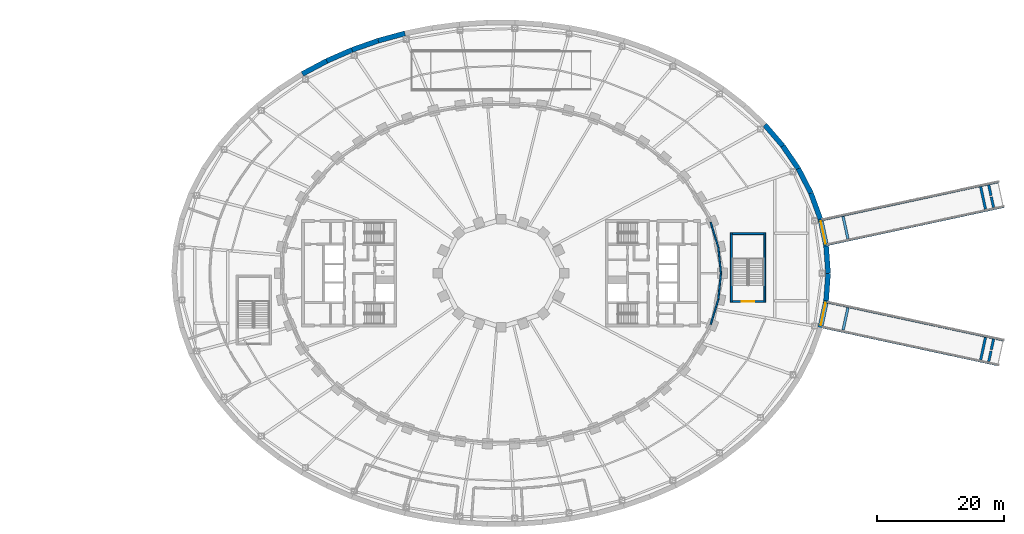
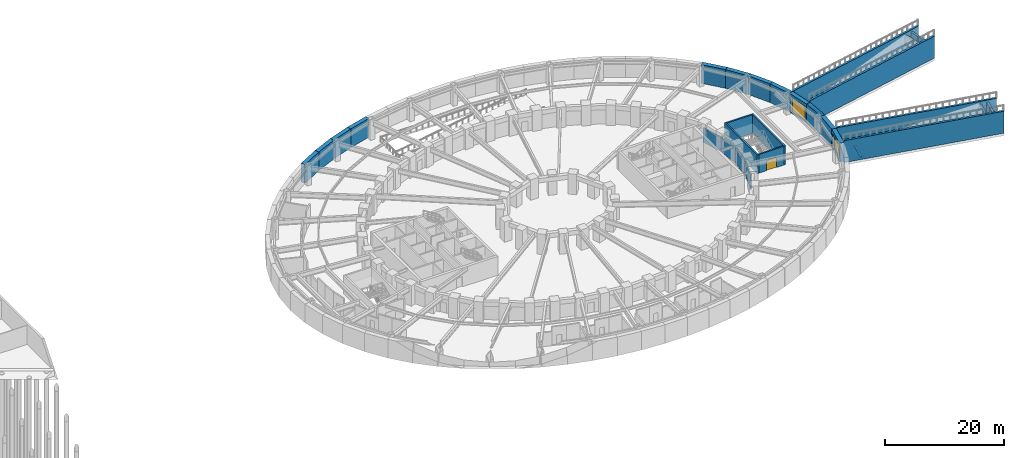
# One storey, part 21 of 32: 32 walls, 3 doors, 3 openings.
"""IFC4 building model written with IfcOpenShell, lengths in metres."""

from ifc_helpers import new_model, si_unit, direction, frame, frame_2d, origin, place, context, subcontext, project, spatial, rectangle, extrude, material, layer, layer_set, type_object, element, fill, save


model = new_model("IFC4")

# Units and contexts
model_context = context("Model", 3, precision=1e-05, world=origin(), true_north=direction((0.0, 1.0)))
body_context = subcontext(model_context, "Body", "Model", "MODEL_VIEW")
ifc_project = project(units=[si_unit("LENGTHUNIT", "METRE"), si_unit("AREAUNIT", "SQUARE_METRE"), si_unit("VOLUMEUNIT", "CUBIC_METRE"), si_unit("PLANEANGLEUNIT", "RADIAN"), si_unit("MASSUNIT", "GRAM", prefix="KILO")], contexts=[model_context])

# Site, building, storey
site_placement = place(None, origin())
site = spatial("IfcSite", under=ifc_project, at=site_placement, CompositionType="ELEMENT")
building_placement = place(site_placement, origin())
building = spatial("IfcBuilding", under=site, at=building_placement, Name="Noorbagh Ring Tower", CompositionType="ELEMENT")
storey_placement = place(building_placement, frame((0.0, 0.0, -4.199951171875)))
storey = spatial("IfcBuildingStorey", under=building, at=storey_placement, Name="B1", CompositionType="ELEMENT", Elevation=-4.199951171875)

# Walls
ifc_material_1 = material(Name="Concrete C60/75", Category="concrete")
ifc_layer_1 = layer(ifc_material_1, 0.300048828125)
ifc_layer_set_1 = layer_set([ifc_layer_1], Name="Concrete C60/75")
wall_type_1 = type_object("IfcWallType", Name="GND-STAIR-WALL", PredefinedType="SHEAR", material=ifc_layer_set_1)
for number, where, z_axis, x_axis, name in (
    (1, (36.35009765625, -4.60009765625, 0.0), (0.0, 0.0, 1.0), (0.0, 1.0, 0.0), "Exit stair ST-P2 wall"),
    (2, (41.60009765625, -4.60009765625, 0.0), (0.0, 0.0, 1.0), (0.0, 1.0, 0.0), "Exit stair ST-P2 wall"),
):
    element("IfcWall", number, at=place(storey_placement, frame(where, z_axis=z_axis, x_axis=x_axis)), inside=storey, type_object=wall_type_1, Name=name, PredefinedType="SHEAR", context=body_context, shape_type="SweptSolid", body=[
        extrude(rectangle(XDim=11.0, YDim=0.300048828125, at=frame_2d((5.5, 0.0))), origin(), (0.0, 0.0, 1.0), 3.849853515625),
    ])

# Wall, opening, door
wall_1_placement = place(storey_placement, frame((36.5, -4.449951171875, 0.0), z_axis=(0.0, 0.0, 1.0), x_axis=(1.0, 0.0, 0.0)))
wall_1 = element("IfcWall", 3, at=wall_1_placement, inside=storey, type_object=wall_type_1, Name="Exit stair ST-P2 wall", PredefinedType="SHEAR", context=body_context, shape_type="SweptSolid", body=[
    extrude(rectangle(XDim=4.949951171875, YDim=0.300048828125, at=frame_2d((2.47509765625, 0.0))), origin(), (0.0, 0.0, 1.0), 3.849853515625),
])
opening_1_placement = place(wall_1_placement, frame((1.47509765625, 0.0, 0.0)))
opening_1 = element("IfcOpeningElement", 4, at=opening_1_placement, cuts=wall_1, Name="Opening GD17", PredefinedType="OPENING", context=body_context, shape_type="SweptSolid", body=[
    extrude(rectangle(XDim=2.0, YDim=2.10009765625, at=frame_2d((1.0, 1.050048828125))), frame((0.0, 0.16015625, 0.0), z_axis=(0.0, -1.0, 0.0), x_axis=(1.0, 0.0, 0.0)), (0.0, 0.0, 1.0), 0.320068359375),
])
ifc_material_2 = material(Name="Steel", Category="steel")
door_type_1 = type_object("IfcDoorType", Name="GND-STAIR-DOOR", OperationType="DOUBLE_DOOR_SINGLE_SWING", PredefinedType="DOOR", material=ifc_material_2)
door_1_placement = place(opening_1_placement, origin())
door_1 = element("IfcDoor", 5, at=door_1_placement, inside=storey, type_object=door_type_1, Name="Exit stair ST-P2 door", OperationType="DOUBLE_DOOR_SINGLE_SWING", OverallHeight=2.10009765625, OverallWidth=2.0, PredefinedType="DOOR", context=body_context, shape_type="SweptSolid", body=[
    extrude(rectangle(XDim=2.0, YDim=2.10009765625, at=frame_2d((1.0, 1.050048828125))), frame((0.0, 0.02490234375, 0.0), z_axis=(0.0, -1.0, 0.0), x_axis=(1.0, 0.0, 0.0)), (0.0, 0.0, 1.0), 0.050048828125),
])
fill(opening_1, door_1)

# Walls
wall_2_placement = place(storey_placement, frame((36.5, 6.25, 0.0), z_axis=(0.0, 0.0, 1.0), x_axis=(1.0, 0.0, 0.0)))
element("IfcWall", 6, at=wall_2_placement, inside=storey, type_object=wall_type_1, Name="Exit stair ST-P2 wall", PredefinedType="SHEAR", context=body_context, shape_type="SweptSolid", body=[
    extrude(rectangle(XDim=4.949951171875, YDim=0.300048828125, at=frame_2d((2.47509765625, 0.0))), origin(), (0.0, 0.0, 1.0), 3.849853515625),
])
ifc_material_3 = material(Name="Concrete C40/50", Category="concrete")
ifc_layer_2 = layer(ifc_material_3, 0.39990234375)
ifc_layer_set_2 = layer_set([ifc_layer_2], Name="Concrete C40/50")
wall_type_2 = type_object("IfcWallType", Name="GND-WALL-RAMPSEAT", PredefinedType="SOLIDWALL", material=ifc_layer_set_2)
for number, where, z_axis, x_axis, name in (
    (7, (77.7041015625, 10.39501953125, -0.330078125), (0.0, 0.0, 1.0), (-0.210539183886, 0.977585419311, 0.0), "Street ramp entry seat wall 1"),
    (8, (77.303955078125, 12.25244140625, -0.330078125), (0.0, 0.0, 1.0), (-0.210539183886, 0.977585419311, 0.0), "Street ramp entry seat wall 2"),
):
    element("IfcWall", number, at=place(storey_placement, frame(where, z_axis=z_axis, x_axis=x_axis)), inside=storey, type_object=wall_type_2, Name=name, PredefinedType="SOLIDWALL", context=body_context, shape_type="SweptSolid", body=[
        extrude(rectangle(XDim=1.699951171875, YDim=0.39990234375, at=frame_2d((0.85009765625, 0.0))), origin(), (0.0, 0.0, 1.0), 4.08740234375),
    ])
wall_3_placement = place(storey_placement, frame((54.727783203125, 5.4443359375, -0.330078125), z_axis=(0.0, 0.0, 1.0), x_axis=(-0.210635840479, 0.977564597715, 0.0)))
element("IfcWall", 9, at=wall_3_placement, inside=storey, type_object=wall_type_2, Name="Street ramp entry bearing wall", PredefinedType="SOLIDWALL", context=body_context, shape_type="SweptSolid", body=[
    extrude(rectangle(XDim=3.60009765625, YDim=0.40771484375, at=frame_2d((1.800048828125, 0.0))), origin(), (0.0, 0.0, 1.0), 0.279296875),
])
wall_4_placement = place(storey_placement, frame((76.431396484375, 10.120849609375, -0.330078125), z_axis=(0.0, 0.0, 1.0), x_axis=(-0.210635840479, 0.977564597715, 0.0)))
element("IfcWall", 10, at=wall_4_placement, inside=storey, type_object=wall_type_2, Name="Street ramp entry bearing wall", PredefinedType="SOLIDWALL", context=body_context, shape_type="SweptSolid", body=[
    extrude(rectangle(XDim=3.60009765625, YDim=0.40380859375, at=frame_2d((1.800048828125, 0.0))), origin(), (0.0, 0.0, 1.0), 3.979248046875),
])
for number, where, z_axis, x_axis, name in (
    (11, (76.946044921875, -13.914306640625, -0.330078125), (0.0, 0.0, 1.0), (0.210539183886, 0.977585419311, 0.0), "Street ramp exit seat wall 1"),
    (12, (77.34619140625, -12.056884765625, -0.330078125), (0.0, 0.0, 1.0), (0.210539183886, 0.977585419311, 0.0), "Street ramp exit seat wall 2"),
):
    element("IfcWall", number, at=place(storey_placement, frame(where, z_axis=z_axis, x_axis=x_axis)), inside=storey, type_object=wall_type_2, Name=name, PredefinedType="SOLIDWALL", context=body_context, shape_type="SweptSolid", body=[
        extrude(rectangle(XDim=1.699951171875, YDim=0.39990234375, at=frame_2d((0.85009765625, 0.0))), origin(), (0.0, 0.0, 1.0), 4.08740234375),
    ])
wall_5_placement = place(storey_placement, frame((53.969482421875, -8.963623046875, -0.330078125), z_axis=(0.0, 0.0, 1.0), x_axis=(0.210635840479, 0.977564597715, 0.0)))
element("IfcWall", 13, at=wall_5_placement, inside=storey, type_object=wall_type_2, Name="Street ramp exit bearing wall", PredefinedType="SOLIDWALL", context=body_context, shape_type="SweptSolid", body=[
    extrude(rectangle(XDim=3.60009765625, YDim=0.40771484375, at=frame_2d((1.800048828125, 0.0))), origin(), (0.0, 0.0, 1.0), 0.279296875),
])
wall_6_placement = place(storey_placement, frame((75.673095703125, -13.64013671875, -0.330078125), z_axis=(0.0, 0.0, 1.0), x_axis=(0.210635840479, 0.977564597715, 0.0)))
element("IfcWall", 14, at=wall_6_placement, inside=storey, type_object=wall_type_2, Name="Street ramp exit bearing wall", PredefinedType="SOLIDWALL", context=body_context, shape_type="SweptSolid", body=[
    extrude(rectangle(XDim=3.60009765625, YDim=0.40380859375, at=frame_2d((1.800048828125, 0.0))), origin(), (0.0, 0.0, 1.0), 3.979248046875),
])
ifc_material_4 = material(Name="Concrete C40/50", Category="concrete")
ifc_layer_3 = layer(ifc_material_4, 0.25)
ifc_layer_set_3 = layer_set([ifc_layer_3], Name="Concrete C40/50")
wall_type_3 = type_object("IfcWallType", Name="GND-WALL-RING", PredefinedType="SOLIDWALL", material=ifc_layer_set_3)
wall_7_placement = place(storey_placement, frame((34.6923828125, 0.009033203125, 0.0), z_axis=(0.0, 0.0, 1.0), x_axis=(-0.100122163244, 0.994975151663, 0.0)))
element("IfcWall", 15, at=wall_7_placement, inside=storey, type_object=wall_type_3, Name="Tower basement fire wall", PredefinedType="SOLIDWALL", context=body_context, shape_type="SweptSolid", body=[
    extrude(rectangle(XDim=4.103759765625, YDim=0.25, at=frame_2d((2.0517578125, 0.0))), origin(), (0.0, 0.0, 1.0), 2.949951171875),
])
for number, where, z_axis, x_axis, name in (
    (16, (34.27783203125, 4.10986328125, 0.0), (0.0, 0.0, 1.0), (-0.292171812712, 0.956365846241, 0.0), "Tower basement fire wall"),
    (17, (33.075439453125, -8.045654296875, 0.0), (0.0, 0.0, 1.0), (0.292171812712, 0.956365846241, 0.0), "Tower basement fire wall"),
):
    element("IfcWall", number, at=place(storey_placement, frame(where, z_axis=z_axis, x_axis=x_axis)), inside=storey, type_object=wall_type_3, Name=name, PredefinedType="SOLIDWALL", context=body_context, shape_type="SweptSolid", body=[
        extrude(rectangle(XDim=4.115478515625, YDim=0.25, at=frame_2d((2.0576171875, 0.0))), origin(), (0.0, 0.0, 1.0), 2.949951171875),
    ])
wall_8_placement = place(storey_placement, frame((34.281494140625, -4.09228515625, 0.0), z_axis=(0.0, 0.0, 1.0), x_axis=(0.100122163244, 0.994975151663, 0.0)))
element("IfcWall", 18, at=wall_8_placement, inside=storey, type_object=wall_type_3, Name="Tower basement fire wall", PredefinedType="SOLIDWALL", context=body_context, shape_type="SweptSolid", body=[
    extrude(rectangle(XDim=4.103759765625, YDim=0.25, at=frame_2d((2.0517578125, 0.0))), origin(), (0.0, 0.0, 1.0), 2.949951171875),
])
ifc_material_5 = material(Name="Concrete C40/50", Category="concrete")
ifc_layer_4 = layer(ifc_material_5, 0.39990234375)
ifc_layer_set_4 = layer_set([ifc_layer_4], Name="Concrete C40/50")
wall_type_4 = type_object("IfcWallType", Name="GND-WALL-TRENCH", PredefinedType="SOLIDWALL", material=ifc_layer_set_4)
wall_9_placement = place(storey_placement, frame((51.6455078125, 4.57568359375, -0.330078125), z_axis=(0.0, 0.0, 1.0), x_axis=(0.977564949659, 0.210634207092, 0.0)))
element("IfcWall", 19, at=wall_9_placement, inside=storey, type_object=wall_type_4, Name="Street ramp entry wall", PredefinedType="SOLIDWALL", context=body_context, shape_type="SweptSolid", body=[
    extrude(rectangle(XDim=28.300048828125, YDim=0.39990234375, at=frame_2d((14.14990234375, 0.0))), origin(), (0.0, 0.0, 1.0), 4.530029296875),
])
for number, where, z_axis, x_axis, name in (
    (20, (50.802734375, 8.48583984375, -0.330078125), (0.0, 0.0, 1.0), (0.977565332402, 0.210632430756, 0.0), "Street ramp entry wall"),
    (21, (50.802734375, -8.48583984375, -0.330078125), (0.0, 0.0, 1.0), (0.977565332402, -0.210632430756, 0.0), "Street ramp exit wall"),
):
    element("IfcWall", number, at=place(storey_placement, frame(where, z_axis=z_axis, x_axis=x_axis)), inside=storey, type_object=wall_type_4, Name=name, PredefinedType="SOLIDWALL", context=body_context, shape_type="SweptSolid", body=[
        extrude(rectangle(XDim=28.30029296875, YDim=0.39990234375, at=frame_2d((14.150146484375, 0.0))), origin(), (0.0, 0.0, 1.0), 4.530029296875),
    ])
wall_10_placement = place(storey_placement, frame((51.6455078125, -4.57568359375, -0.330078125), z_axis=(0.0, 0.0, 1.0), x_axis=(0.977564949659, -0.210634207092, 0.0)))
element("IfcWall", 22, at=wall_10_placement, inside=storey, type_object=wall_type_4, Name="Street ramp exit wall", PredefinedType="SOLIDWALL", context=body_context, shape_type="SweptSolid", body=[
    extrude(rectangle(XDim=28.300048828125, YDim=0.39990234375, at=frame_2d((14.14990234375, 0.0))), origin(), (0.0, 0.0, 1.0), 4.530029296875),
])
ifc_material_6 = material(Name="Concrete C40/50", Category="concrete")
ifc_layer_5 = layer(ifc_material_6, 0.800048828125)
ifc_layer_set_5 = layer_set([ifc_layer_5], Name="Concrete C40/50")
wall_type_5 = type_object("IfcWallType", Name="STR-RETAINING-WALL", PredefinedType="SOLIDWALL", material=ifc_layer_set_5)
wall_11_placement = place(storey_placement, frame((51.59912109375, 0.0, 0.0), z_axis=(0.0, 0.0, 1.0), x_axis=(-0.071315050824, 0.997453840298, 0.0)))
element("IfcWall", 23, at=wall_11_placement, inside=storey, type_object=wall_type_5, Name="B1/retwall/01", PredefinedType="SOLIDWALL", context=body_context, shape_type="SweptSolid", body=[
    extrude(rectangle(XDim=4.33740234375, YDim=0.800048828125, at=frame_2d((2.168701171875, 0.0))), origin(), (0.0, 0.0, 1.0), 3.849853515625),
])

# Wall, opening, door
wall_12_placement = place(storey_placement, frame((51.289794921875, 4.326416015625, 0.0), z_axis=(0.0, 0.0, 1.0), x_axis=(-0.210616468766, 0.977568771537, 0.0)))
wall_12 = element("IfcWall", 24, at=wall_12_placement, inside=storey, type_object=wall_type_5, Name="B1/retwall/02", PredefinedType="SOLIDWALL", context=body_context, shape_type="SweptSolid", body=[
    extrude(rectangle(XDim=4.3388671875, YDim=0.800048828125, at=frame_2d((2.16943359375, 0.0))), origin(), (0.0, 0.0, 1.0), 3.849853515625),
])
opening_2_placement = place(wall_12_placement, frame((0.369384765625, 0.0, 0.0)))
opening_2 = element("IfcOpeningElement", 25, at=opening_2_placement, cuts=wall_12, Name="Opening GD5", PredefinedType="OPENING", context=body_context, shape_type="SweptSolid", body=[
    extrude(rectangle(XDim=3.60009765625, YDim=3.199951171875, at=frame_2d((1.800048828125, 1.60009765625))), frame((0.0, 0.41015625, 0.0), z_axis=(0.0, -1.0, 0.0), x_axis=(1.0, 0.0, 0.0)), (0.0, 0.0, 1.0), 0.820068359375),
])
ifc_material_7 = material(Name="Galvanised steel", Category="steel")
door_type_2 = type_object("IfcDoorType", Name="GND-DOOR-GATE", OperationType="ROLLINGUP", PredefinedType="DOOR", material=ifc_material_7)
door_2_placement = place(opening_2_placement, origin())
door_2 = element("IfcDoor", 26, at=door_2_placement, inside=storey, type_object=door_type_2, Name="Car park gate entry", OperationType="ROLLINGUP", OverallHeight=3.199951171875, OverallWidth=3.60009765625, PredefinedType="DOOR", context=body_context, shape_type="SweptSolid", body=[
    extrude(rectangle(XDim=3.60009765625, YDim=3.199951171875, at=frame_2d((1.800048828125, 1.60009765625))), frame((0.0, 0.02490234375, 0.0), z_axis=(0.0, -1.0, 0.0), x_axis=(1.0, 0.0, 0.0)), (0.0, 0.0, 1.0), 0.050048828125),
])
fill(opening_2, door_2)

# Walls
wall_13_placement = place(storey_placement, frame((50.3759765625, 8.56787109375, 0.0), z_axis=(0.0, 0.0, 1.0), x_axis=(-0.341286990045, 0.939959142956, 0.0)))
element("IfcWall", 27, at=wall_13_placement, inside=storey, type_object=wall_type_5, Name="B1/retwall/03", PredefinedType="SOLIDWALL", context=body_context, shape_type="SweptSolid", body=[
    extrude(rectangle(XDim=4.341552734375, YDim=0.800048828125, at=frame_2d((2.1708984375, 0.0))), origin(), (0.0, 0.0, 1.0), 3.849853515625),
])
wall_14_placement = place(storey_placement, frame((48.894287109375, 12.648681640625, 0.0), z_axis=(0.0, 0.0, 1.0), x_axis=(-0.459242531468, 0.888310923771, 0.0)))
element("IfcWall", 28, at=wall_14_placement, inside=storey, type_object=wall_type_5, Name="B1/retwall/04", PredefinedType="SOLIDWALL", context=body_context, shape_type="SweptSolid", body=[
    extrude(rectangle(XDim=4.344970703125, YDim=0.800048828125, at=frame_2d((2.17236328125, 0.0))), origin(), (0.0, 0.0, 1.0), 3.849853515625),
])
wall_15_placement = place(storey_placement, frame((46.89892578125, 16.50830078125, 0.0), z_axis=(0.0, 0.0, 1.0), x_axis=(-0.562667738859, 0.82668314102, 0.0)))
element("IfcWall", 29, at=wall_15_placement, inside=storey, type_object=wall_type_5, Name="B1/retwall/05", PredefinedType="SOLIDWALL", context=body_context, shape_type="SweptSolid", body=[
    extrude(rectangle(XDim=4.348876953125, YDim=0.800048828125, at=frame_2d((2.17431640625, 0.0))), origin(), (0.0, 0.0, 1.0), 3.849853515625),
])
wall_16_placement = place(storey_placement, frame((44.451904296875, 20.103515625, 0.0), z_axis=(0.0, 0.0, 1.0), x_axis=(-0.651387059497, 0.758745608699, 0.0)))
element("IfcWall", 30, at=wall_16_placement, inside=storey, type_object=wall_type_5, Name="B1/retwall/06", PredefinedType="SOLIDWALL", context=body_context, shape_type="SweptSolid", body=[
    extrude(rectangle(XDim=4.3525390625, YDim=0.800048828125, at=frame_2d((2.17626953125, 0.0))), origin(), (0.0, 0.0, 1.0), 3.849853515625),
])
wall_17_placement = place(storey_placement, frame((-15.164794921875, 37.85009765625, 0.0), z_axis=(0.0, 0.0, 1.0), x_axis=(-0.964679950239, -0.263424739931, 0.0)))
element("IfcWall", 31, at=wall_17_placement, inside=storey, type_object=wall_type_5, Name="B1/retwall/21", PredefinedType="SOLIDWALL", context=body_context, shape_type="SweptSolid", body=[
    extrude(rectangle(XDim=4.368896484375, YDim=0.800048828125, at=frame_2d((2.1845703125, 0.0))), origin(), (0.0, 0.0, 1.0), 3.849853515625),
])
wall_18_placement = place(storey_placement, frame((-19.37939453125, 36.69921875, 0.0), z_axis=(0.0, 0.0, 1.0), x_axis=(-0.943526738033, -0.331296384853, 0.0)))
element("IfcWall", 32, at=wall_18_placement, inside=storey, type_object=wall_type_5, Name="B1/retwall/22", PredefinedType="SOLIDWALL", context=body_context, shape_type="SweptSolid", body=[
    extrude(rectangle(XDim=4.36767578125, YDim=0.800048828125, at=frame_2d((2.183837890625, 0.0))), origin(), (0.0, 0.0, 1.0), 3.849853515625),
])
wall_19_placement = place(storey_placement, frame((-23.50048828125, 35.252197265625, 0.0), z_axis=(0.0, 0.0, 1.0), x_axis=(-0.916336904548, -0.400408138483, 0.0)))
element("IfcWall", 33, at=wall_19_placement, inside=storey, type_object=wall_type_5, Name="B1/retwall/23", PredefinedType="SOLIDWALL", context=body_context, shape_type="SweptSolid", body=[
    extrude(rectangle(XDim=4.3662109375, YDim=0.800048828125, at=frame_2d((2.18310546875, 0.0))), origin(), (0.0, 0.0, 1.0), 3.849853515625),
])
wall_20_placement = place(storey_placement, frame((-27.50146484375, 33.50390625, 0.0), z_axis=(0.0, 0.0, 1.0), x_axis=(-0.882159305704, -0.47095112205, 0.0)))
element("IfcWall", 34, at=wall_20_placement, inside=storey, type_object=wall_type_5, Name="B1/retwall/24", PredefinedType="SOLIDWALL", context=body_context, shape_type="SweptSolid", body=[
    extrude(rectangle(XDim=4.364501953125, YDim=0.800048828125, at=frame_2d((2.18212890625, 0.0))), origin(), (0.0, 0.0, 1.0), 3.849853515625),
])

# Wall, opening, door
wall_21_placement = place(storey_placement, frame((50.3759765625, -8.56787109375, 0.0), z_axis=(0.0, 0.0, 1.0), x_axis=(0.210616468766, 0.977568771537, 0.0)))
wall_21 = element("IfcWall", 35, at=wall_21_placement, inside=storey, type_object=wall_type_5, Name="B1/retwall/65", PredefinedType="SOLIDWALL", context=body_context, shape_type="SweptSolid", body=[
    extrude(rectangle(XDim=4.3388671875, YDim=0.800048828125, at=frame_2d((2.16943359375, 0.0))), origin(), (0.0, 0.0, 1.0), 3.849853515625),
])
opening_3_placement = place(wall_21_placement, frame((0.369384765625, 0.0, 0.0)))
opening_3 = element("IfcOpeningElement", 36, at=opening_3_placement, cuts=wall_21, Name="Opening GD5", PredefinedType="OPENING", context=body_context, shape_type="SweptSolid", body=[
    extrude(rectangle(XDim=3.60009765625, YDim=3.199951171875, at=frame_2d((1.800048828125, 1.60009765625))), frame((0.0, 0.41015625, 0.0), z_axis=(0.0, -1.0, 0.0), x_axis=(1.0, 0.0, 0.0)), (0.0, 0.0, 1.0), 0.820068359375),
])
door_3_placement = place(opening_3_placement, origin())
door_3 = element("IfcDoor", 37, at=door_3_placement, inside=storey, type_object=door_type_2, Name="Car park gate exit", OperationType="ROLLINGUP", OverallHeight=3.199951171875, OverallWidth=3.60009765625, PredefinedType="DOOR", context=body_context, shape_type="SweptSolid", body=[
    extrude(rectangle(XDim=3.60009765625, YDim=3.199951171875, at=frame_2d((1.800048828125, 1.60009765625))), frame((0.0, 0.02490234375, 0.0), z_axis=(0.0, -1.0, 0.0), x_axis=(1.0, 0.0, 0.0)), (0.0, 0.0, 1.0), 0.050048828125),
])
fill(opening_3, door_3)

# Wall
wall_22_placement = place(storey_placement, frame((51.289794921875, -4.326416015625, 0.0), z_axis=(0.0, 0.0, 1.0), x_axis=(0.071315050824, 0.997453840298, 0.0)))
element("IfcWall", 38, at=wall_22_placement, inside=storey, type_object=wall_type_5, Name="B1/retwall/66", PredefinedType="SOLIDWALL", context=body_context, shape_type="SweptSolid", body=[
    extrude(rectangle(XDim=4.33740234375, YDim=0.800048828125, at=frame_2d((2.168701171875, 0.0))), origin(), (0.0, 0.0, 1.0), 3.849853515625),
])

save(model, "model.ifc")
